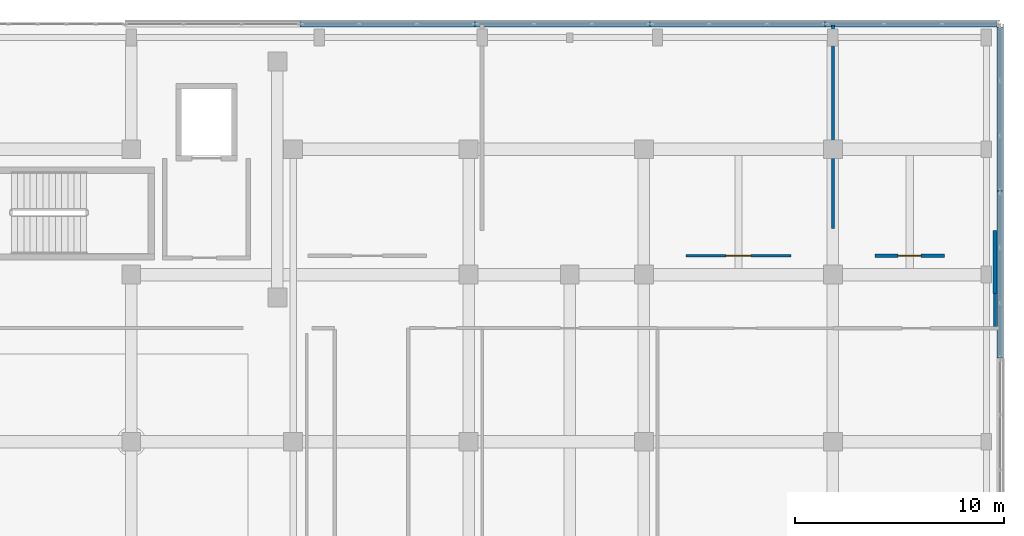
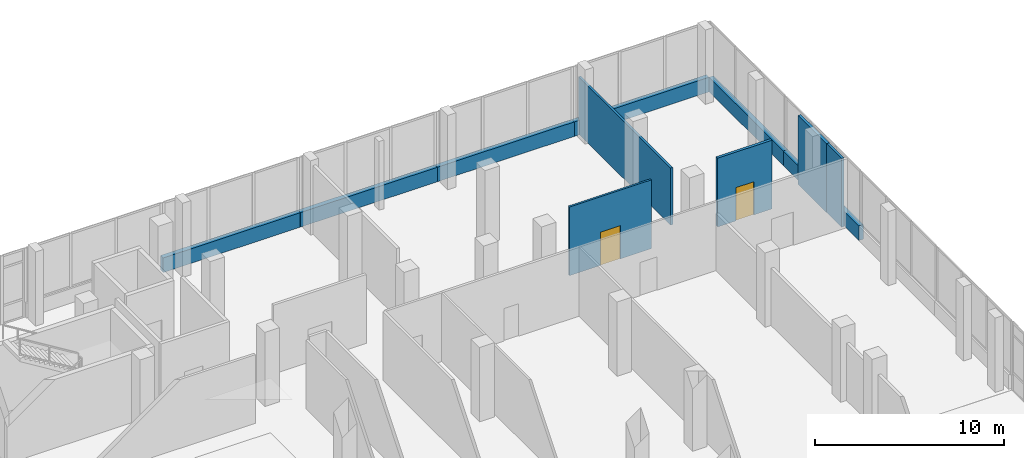
# One storey, part 152 of 168: 11 walls, 2 doors, 2 openings.
"""IFC4 building model written with IfcOpenShell, lengths in metres."""

from ifc_helpers import new_model, si_unit, direction, frame, frame_2d, origin, place, context, subcontext, project, spatial, rectangle, extrude, material, layer, layer_set, type_object, element, fill, save


model = new_model("IFC4")

# Units and contexts
model_context = context("Model", 3, precision=1e-05, world=origin(), true_north=direction((0.0, 1.0)))
body_context = subcontext(model_context, "Body", "Model", "MODEL_VIEW")
ifc_project = project(units=[si_unit("LENGTHUNIT", "METRE"), si_unit("AREAUNIT", "SQUARE_METRE"), si_unit("VOLUMEUNIT", "CUBIC_METRE"), si_unit("PLANEANGLEUNIT", "RADIAN"), si_unit("MASSUNIT", "GRAM", prefix="KILO")], contexts=[model_context])

# Site, building, storey
site_placement = place(None, origin())
site = spatial("IfcSite", under=ifc_project, at=site_placement, CompositionType="ELEMENT")
building_placement = place(site_placement, origin())
building = spatial("IfcBuilding", under=site, at=building_placement, Name="Selatvlak General Hospital", CompositionType="ELEMENT")
storey_placement = place(building_placement, frame((0.0, 0.0, 5.39990234375)))
storey = spatial("IfcBuildingStorey", under=building, at=storey_placement, Name="L01", CompositionType="ELEMENT", Elevation=5.39990234375)

# Walls
ifc_material_1 = material(Name="Precast concrete C40/50 - white Bauhaus spandrel", Category="concrete")
ifc_layer_1 = layer(ifc_material_1, 0.280029296875, Name="Precast concrete C40/50 - white Bauhaus spandrel", Category="concrete")
ifc_layer_set_1 = layer_set([ifc_layer_1], Name="Precast concrete C40/50 - white Bauhaus spandrel")
wall_type_1 = type_object("IfcWallType", Name="WALL-EW-02", PredefinedType="SOLIDWALL", material=ifc_layer_set_1)
for number, where, z_axis, x_axis, name in (
    (1, (148.48095703125, 120.0, 0.0), (0.0, 0.0, 1.0), (1.0, 0.0, 0.0), "L01 Bauhaus spandrel sill wall 0218"),
    (2, (156.861083984375, 120.0, 0.0), (0.0, 0.0, 1.0), (1.0, 0.0, 0.0), "L01 Bauhaus spandrel sill wall 0219"),
    (3, (165.240966796875, 120.0, 0.0), (0.0, 0.0, 1.0), (1.0, 0.0, 0.0), "L01 Bauhaus spandrel sill wall 0220"),
):
    element("IfcWall", number, at=place(storey_placement, frame(where, z_axis=z_axis, x_axis=x_axis)), inside=storey, type_object=wall_type_1, Name=name, PredefinedType="SOLIDWALL", context=body_context, shape_type="SweptSolid", body=[
        extrude(rectangle(XDim=8.3759765625, YDim=0.280029296875, at=frame_2d((4.18798828125, 0.0))), origin(), (0.0, 0.0, 1.0), 0.940185546875),
    ])
wall_1_placement = place(storey_placement, frame((173.62109375, 120.0, 0.0), z_axis=(0.0, 0.0, 1.0), x_axis=(1.0, 0.0, 0.0)))
element("IfcWall", 4, at=wall_1_placement, inside=storey, type_object=wall_type_1, Name="L01 Bauhaus spandrel sill wall 0221", PredefinedType="SOLIDWALL", context=body_context, shape_type="SweptSolid", body=[
    extrude(rectangle(XDim=8.23779296875, YDim=0.280029296875, at=frame_2d((4.118896484375, 0.0))), origin(), (0.0, 0.0, 1.0), 0.940185546875),
])
wall_2_placement = place(storey_placement, frame((181.9990234375, 119.860107421875, 0.0), z_axis=(0.0, 0.0, 1.0), x_axis=(0.0, -1.0, 0.0)))
element("IfcWall", 5, at=wall_2_placement, inside=storey, type_object=wall_type_1, Name="L01 Bauhaus spandrel sill wall 0222", PredefinedType="SOLIDWALL", context=body_context, shape_type="SweptSolid", body=[
    extrude(rectangle(XDim=7.858154296875, YDim=0.280029296875, at=frame_2d((3.92919921875, 0.0))), origin(), (0.0, 0.0, 1.0), 0.940185546875),
])
wall_3_placement = place(storey_placement, frame((181.9990234375, 111.998046875, 0.0), z_axis=(0.0, 0.0, 1.0), x_axis=(0.000122144863, -0.99999999254, 0.0)))
element("IfcWall", 6, at=wall_3_placement, inside=storey, type_object=wall_type_1, Name="L01 Bauhaus spandrel sill wall 0223", PredefinedType="SOLIDWALL", context=body_context, shape_type="SweptSolid", body=[
    extrude(rectangle(XDim=7.9951171875, YDim=0.280029296875, at=frame_2d((3.99755859375, 0.0))), origin(), (0.0, 0.0, 1.0), 0.940185546875),
])
ifc_material_2 = material(Name="Acoustic gypsum stud partition")
ifc_layer_2 = layer(ifc_material_2, 0.179931640625, Name="Acoustic gypsum stud partition")
ifc_layer_set_2 = layer_set([ifc_layer_2], Name="Acoustic gypsum stud partition")
wall_type_2 = type_object("IfcWallType", Name="WALL-PT-01", PredefinedType="PARTITIONING", material=ifc_layer_set_2)
wall_4_placement = place(storey_placement, frame((181.760009765625, 107.10009765625, 0.0), z_axis=(0.0, 0.0, 1.0), x_axis=(0.0, 1.0, 0.0)))
element("IfcWall", 7, at=wall_4_placement, inside=storey, type_object=wall_type_2, Name="L01 clinical partition PT-L01-1030", PredefinedType="PARTITIONING", context=body_context, shape_type="SweptSolid", body=[
    extrude(rectangle(XDim=3.018798828125, YDim=0.179931640625, at=frame_2d((1.50927734375, 0.0))), origin(), (0.0, 0.0, 1.0), 4.445068359375),
])

# Wall, opening, door
ifc_layer_3 = layer(ifc_material_2, 0.1650390625, Name="Acoustic gypsum stud partition")
ifc_layer_set_3 = layer_set([ifc_layer_3], Name="Acoustic gypsum stud partition")
wall_type_3 = type_object("IfcWallType", Name="WALL-PT-02", PredefinedType="PARTITIONING", material=ifc_layer_set_3)
wall_5_placement = place(storey_placement, frame((179.339111328125, 108.909912109375, 0.0), z_axis=(0.0, 0.0, 1.0), x_axis=(-1.0, 0.0, 0.0)))
wall_5 = element("IfcWall", 8, at=wall_5_placement, inside=storey, type_object=wall_type_3, Name="L01 clinical partition PT-L01-1031", PredefinedType="PARTITIONING", context=body_context, shape_type="SweptSolid", body=[
    extrude(rectangle(XDim=3.328125, YDim=0.1650390625, at=frame_2d((1.6640625, 0.0))), origin(), (0.0, 0.0, 1.0), 4.445068359375),
])
opening_1_placement = place(wall_5_placement, frame((1.114013671875, 0.0, 0.0)))
opening_1 = element("IfcOpeningElement", 9, at=opening_1_placement, cuts=wall_5, Name="Opening D-22", PredefinedType="OPENING", context=body_context, shape_type="SweptSolid", body=[
    extrude(rectangle(XDim=1.10009765625, YDim=2.14990234375, at=frame_2d((0.550048828125, 1.074951171875))), frame((0.0, 0.092529296875, 0.0), z_axis=(0.0, -1.0, 0.0), x_axis=(1.0, 0.0, 0.0)), (0.0, 0.0, 1.0), 0.18505859375),
])
ifc_material_3 = material(Name="Pharmacy security fire door")
door_type_1 = type_object("IfcDoorType", Name="DOOR-D-22", OperationType="NOTDEFINED", PredefinedType="DOOR", material=ifc_material_3)
door_1_placement = place(opening_1_placement, origin())
door_1 = element("IfcDoor", 10, at=door_1_placement, inside=storey, type_object=door_type_1, Name="L01 High Dependency Critical Care Bay 80 door", OperationType="SINGLE_SWING_LEFT", OverallHeight=2.14990234375, OverallWidth=1.10009765625, PredefinedType="DOOR", context=body_context, shape_type="SweptSolid", body=[
    extrude(rectangle(XDim=1.10009765625, YDim=2.14990234375, at=frame_2d((0.550048828125, 1.074951171875))), frame((0.0, 0.02490234375, 0.0), z_axis=(0.0, -1.0, 0.0), x_axis=(1.0, 0.0, 0.0)), (0.0, 0.0, 1.0), 0.050048828125),
])
fill(opening_1, door_1)

# Walls
ifc_layer_4 = layer(ifc_material_2, 0.14990234375, Name="Acoustic gypsum stud partition")
ifc_layer_set_4 = layer_set([ifc_layer_4], Name="Acoustic gypsum stud partition")
wall_type_4 = type_object("IfcWallType", Name="WALL-PT-03", PredefinedType="PARTITIONING", material=ifc_layer_set_4)
wall_6_placement = place(storey_placement, frame((181.760009765625, 105.51904296875, 0.0), z_axis=(0.0, 0.0, 1.0), x_axis=(0.0, 1.0, 0.0)))
element("IfcWall", 11, at=wall_6_placement, inside=storey, type_object=wall_type_4, Name="L01 clinical partition PT-L01-0992", PredefinedType="PARTITIONING", context=body_context, shape_type="SweptSolid", body=[
    extrude(rectangle(XDim=1.5810546875, YDim=0.14990234375, at=frame_2d((0.79052734375, 0.0))), origin(), (0.0, 0.0, 1.0), 4.445068359375),
])
ifc_material_4 = material(Name="Moisture-resistant clinical partition")
ifc_layer_5 = layer(ifc_material_4, 0.135009765625, Name="Moisture-resistant clinical partition")
ifc_layer_set_5 = layer_set([ifc_layer_5], Name="Moisture-resistant clinical partition")
wall_type_5 = type_object("IfcWallType", Name="WALL-PT-04", PredefinedType="PARTITIONING", material=ifc_layer_set_5)
wall_7_placement = place(storey_placement, frame((174.0, 119.9580078125, 0.0), z_axis=(0.0, 0.0, 1.0), x_axis=(0.0, -1.0, 0.0)))
element("IfcWall", 12, at=wall_7_placement, inside=storey, type_object=wall_type_5, Name="L01 clinical partition PT-L01-1028", PredefinedType="PARTITIONING", context=body_context, shape_type="SweptSolid", body=[
    extrude(rectangle(XDim=9.748046875, YDim=0.135009765625, at=frame_2d((4.8740234375, 0.0))), origin(), (0.0, 0.0, 1.0), 3.695068359375),
])

# Wall, opening, door
ifc_layer_6 = layer(ifc_material_4, 0.1201171875, Name="Moisture-resistant clinical partition")
ifc_layer_set_6 = layer_set([ifc_layer_6], Name="Moisture-resistant clinical partition")
wall_type_6 = type_object("IfcWallType", Name="WALL-PT-05", PredefinedType="PARTITIONING", material=ifc_layer_set_6)
wall_8_placement = place(storey_placement, frame((171.989013671875, 108.909912109375, 0.0), z_axis=(0.0, 0.0, 1.0), x_axis=(-1.0, 0.0, 0.0)))
wall_8 = element("IfcWall", 13, at=wall_8_placement, inside=storey, type_object=wall_type_6, Name="L01 clinical partition PT-L01-1029", PredefinedType="PARTITIONING", context=body_context, shape_type="SweptSolid", body=[
    extrude(rectangle(XDim=5.028076171875, YDim=0.1201171875, at=frame_2d((2.51416015625, 0.0))), origin(), (0.0, 0.0, 1.0), 4.445068359375),
])
opening_2_placement = place(wall_8_placement, frame((1.9140625, 0.0, 0.0)))
opening_2 = element("IfcOpeningElement", 14, at=opening_2_placement, cuts=wall_8, Name="Opening D-23", PredefinedType="OPENING", context=body_context, shape_type="SweptSolid", body=[
    extrude(rectangle(XDim=1.199951171875, YDim=2.14990234375, at=frame_2d((0.60009765625, 1.074951171875))), frame((0.0, 0.070068359375, 0.0), z_axis=(0.0, -1.0, 0.0), x_axis=(1.0, 0.0, 0.0)), (0.0, 0.0, 1.0), 0.14013671875),
])
ifc_material_5 = material(Name="Endoscopy clinical door")
door_type_2 = type_object("IfcDoorType", Name="DOOR-D-23", OperationType="NOTDEFINED", PredefinedType="DOOR", material=ifc_material_5)
door_2_placement = place(opening_2_placement, origin())
door_2 = element("IfcDoor", 15, at=door_2_placement, inside=storey, type_object=door_type_2, Name="L01 Paediatric Intensive Care Unit 79 door", OperationType="SINGLE_SWING_RIGHT", OverallHeight=2.14990234375, OverallWidth=1.199951171875, PredefinedType="DOOR", context=body_context, shape_type="SweptSolid", body=[
    extrude(rectangle(XDim=1.199951171875, YDim=2.14990234375, at=frame_2d((0.60009765625, 1.074951171875))), frame((0.0, 0.02490234375, 0.0), z_axis=(0.0, -1.0, 0.0), x_axis=(1.0, 0.0, 0.0)), (0.0, 0.0, 1.0), 0.050048828125),
])
fill(opening_2, door_2)

save(model, "model.ifc")
